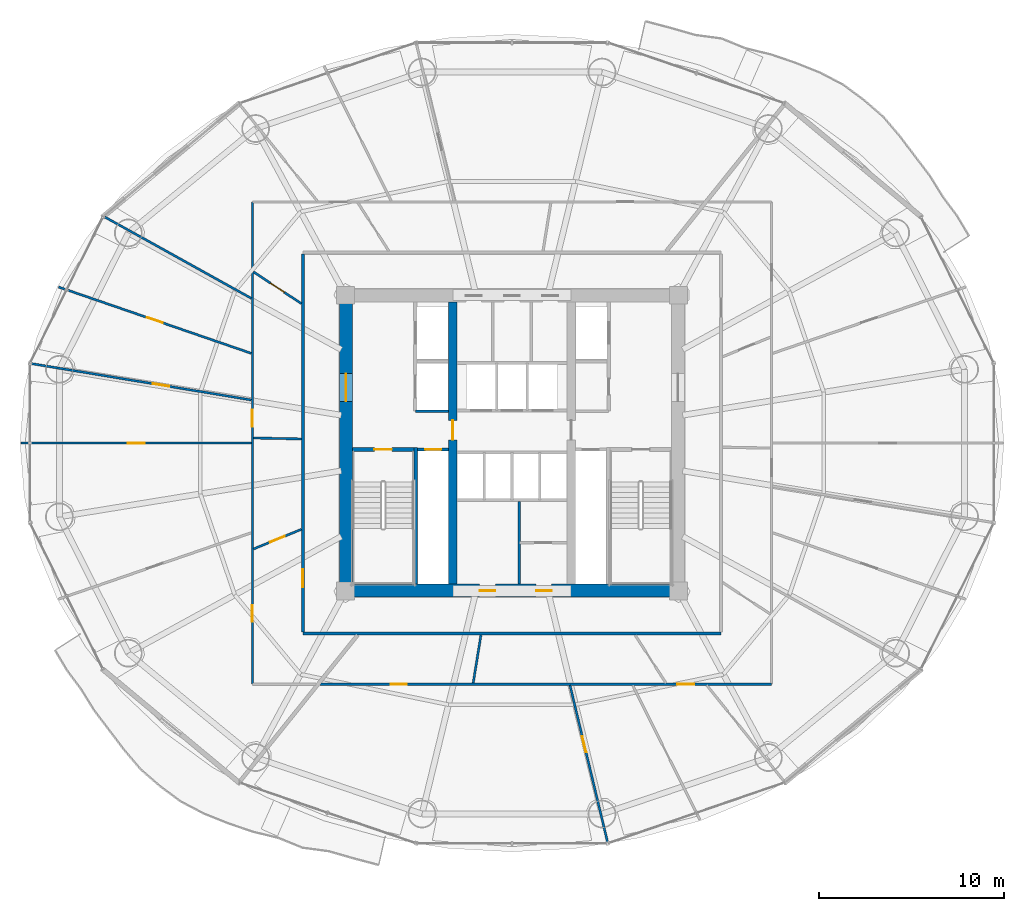
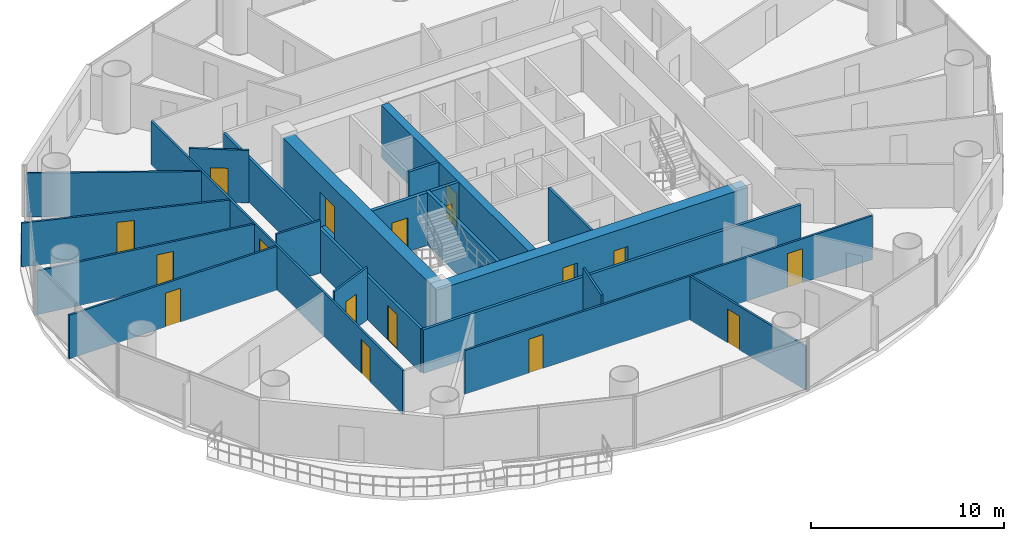
# One storey, part 22 of 29: 21 walls, 17 doors, 17 openings.
"""IFC4 building model written with IfcOpenShell, lengths in metres."""

from ifc_helpers import new_model, si_unit, direction, frame, frame_2d, origin, place, context, subcontext, project, spatial, rectangle, extrude, source, transform, mapped, material, layer, layer_set, type_object, element, fill, save


model = new_model("IFC4")

# Units and contexts
model_context = context("Model", 3, precision=1e-05, world=origin(), true_north=direction((-0.2419218956, 0.970295726276)))
body_context = subcontext(model_context, "Body", "Model", "MODEL_VIEW")
ifc_project = project(units=[si_unit("LENGTHUNIT", "METRE"), si_unit("AREAUNIT", "SQUARE_METRE"), si_unit("VOLUMEUNIT", "CUBIC_METRE"), si_unit("PLANEANGLEUNIT", "RADIAN"), si_unit("MASSUNIT", "GRAM", prefix="KILO")], contexts=[model_context])

# Site, building, storey
site_placement = place(None, origin())
site = spatial("IfcSite", under=ifc_project, at=site_placement, CompositionType="ELEMENT")
building_placement = place(site_placement, origin())
building = spatial("IfcBuilding", under=site, at=building_placement, Name="Cobrevalo Terracotta Tower", CompositionType="ELEMENT")
storey_placement = place(building_placement, frame((0.0, 0.0, 112.199951171875)))
storey = spatial("IfcBuildingStorey", under=building, at=storey_placement, Name="L29", CompositionType="ELEMENT", Elevation=112.199951171875)

# Wall, openings, doors
ifc_material_1 = material(Name="Concrete C60", Category="concrete")
ifc_layer_1 = layer(ifc_material_1, 0.699951171875)
ifc_layer_set_1 = layer_set([ifc_layer_1], Name="Concrete C60")
wall_type_1 = type_object("IfcWallType", Name="Core shear wall 700 mm Concrete C60", PredefinedType="SHEAR", material=ifc_layer_set_1)
wall_1_placement = place(storey_placement, frame((28.675048828125, 18.824951171875, 0.0), z_axis=(0.0, 0.0, 1.0), x_axis=(1.0, 0.0, 0.0)))
wall_1 = element("IfcWall", 1, at=wall_1_placement, inside=storey, type_object=wall_type_1, Name="L29 south core shear wall", PredefinedType="SHEAR", context=body_context, shape_type="SweptSolid", body=[
    extrude(rectangle(XDim=18.64990234375, YDim=0.699951171875, at=frame_2d((9.324951171875, 0.0))), origin(), (0.0, 0.0, 1.0), 3.324951171875),
])
opening_1_placement = place(wall_1_placement, frame((7.577392578125, 0.0, 0.0)))
opening_1 = element("IfcOpeningElement", 2, at=opening_1_placement, cuts=wall_1, Name="Opening ID-22", PredefinedType="OPENING", context=body_context, shape_type="SweptSolid", body=[
    extrude(rectangle(XDim=0.85009765625, YDim=2.10009765625, at=frame_2d((0.425048828125, 1.050048828125))), frame((0.0, 0.35986328125, 0.0), z_axis=(0.0, -1.0, 0.0), x_axis=(1.0, 0.0, 0.0)), (0.0, 0.0, 1.0), 0.719970703125),
])
opening_2_placement = place(wall_1_placement, frame((10.62255859375, 0.0, 0.0)))
opening_2 = element("IfcOpeningElement", 3, at=opening_2_placement, cuts=wall_1, Name="Opening ID-22", PredefinedType="OPENING", context=body_context, shape_type="SweptSolid", body=[
    extrude(rectangle(XDim=0.85009765625, YDim=2.10009765625, at=frame_2d((0.425048828125, 1.050048828125))), frame((0.0, 0.35986328125, 0.0), z_axis=(0.0, -1.0, 0.0), x_axis=(1.0, 0.0, 0.0)), (0.0, 0.0, 1.0), 0.719970703125),
])
ifc_material_2 = material(Name="Powder-coated steel", Category="steel")
door_type_1 = type_object("IfcDoorType", Name="Riser shaft & meter closet fire access door 850x2100 EI 60", OperationType="NOTDEFINED", PredefinedType="DOOR", material=ifc_material_2)
shared_shape_1 = source(origin(), body_context, "Body", "SweptSolid", [
    extrude(rectangle(XDim=0.85009765625, YDim=2.10009765625, at=frame_2d((0.425048828125, 1.050048828125))), frame((0.0, 0.02490234375, 0.0), z_axis=(0.0, -1.0, 0.0), x_axis=(1.0, 0.0, 0.0)), (0.0, 0.0, 1.0), 0.050048828125),
])
door_1_placement = place(opening_1_placement, origin())
door_1 = element("IfcDoor", 4, at=door_1_placement, inside=storey, type_object=door_type_1, Name="L29 core south plant door Floor AHU Mechanical Plant", OperationType="SINGLE_SWING_RIGHT", OverallHeight=2.10009765625, OverallWidth=0.85009765625, PredefinedType="DOOR", context=body_context, shape_type="MappedRepresentation", body=[
    mapped(shared_shape_1, transform((0.0, 0.0, 0.0), scale=1.0)),
])
fill(opening_1, door_1)
door_2_placement = place(opening_2_placement, origin())
door_2 = element("IfcDoor", 5, at=door_2_placement, inside=storey, type_object=door_type_1, Name="L29 core south plant door Sprinkler Valve Plant", OperationType="SINGLE_SWING_RIGHT", OverallHeight=2.10009765625, OverallWidth=0.85009765625, PredefinedType="DOOR", context=body_context, shape_type="MappedRepresentation", body=[
    mapped(shared_shape_1, transform((0.0, 0.0, 0.0), scale=1.0)),
])
fill(opening_2, door_2)

# Wall, opening, door
wall_2_placement = place(storey_placement, frame((29.02490234375, 19.175048828125, 0.0), z_axis=(0.0, 0.0, 1.0), x_axis=(0.0, 1.0, 0.0)))
wall_2 = element("IfcWall", 6, at=wall_2_placement, inside=storey, type_object=wall_type_1, Name="L29 west core shear wall", PredefinedType="SHEAR", context=body_context, shape_type="SweptSolid", body=[
    extrude(rectangle(XDim=15.25, YDim=0.699951171875, at=frame_2d((7.625, 0.0))), origin(), (0.0, 0.0, 1.0), 3.324951171875),
])
opening_3_placement = place(wall_2_placement, frame((9.875, 0.0, 0.0)))
opening_3 = element("IfcOpeningElement", 7, at=opening_3_placement, cuts=wall_2, Name="Opening ID-14", PredefinedType="OPENING", context=body_context, shape_type="SweptSolid", body=[
    extrude(rectangle(XDim=1.5, YDim=2.199951171875, at=frame_2d((0.75, 1.10009765625))), frame((0.0, 0.35986328125, 0.0), z_axis=(0.0, -1.0, 0.0), x_axis=(1.0, 0.0, 0.0)), (0.0, 0.0, 1.0), 0.719970703125),
])
ifc_material_3 = material(Name="Galvanized fire-rated steel", Category="steel")
door_type_2 = type_object("IfcDoorType", Name="Core cross-lobby double fire door 1500x2200 EI 90", OperationType="NOTDEFINED", PredefinedType="DOOR", material=ifc_material_3)
shared_shape_2 = source(origin(), body_context, "Body", "SweptSolid", [
    extrude(rectangle(XDim=1.5, YDim=2.199951171875, at=frame_2d((0.75, 1.10009765625))), frame((0.0, 0.02490234375, 0.0), z_axis=(0.0, -1.0, 0.0), x_axis=(1.0, 0.0, 0.0)), (0.0, 0.0, 1.0), 0.050048828125),
])
door_3_placement = place(opening_3_placement, origin())
door_3 = element("IfcDoor", 8, at=door_3_placement, inside=storey, type_object=door_type_2, Name="L29 west firefighting lobby entrance door", OperationType="DOUBLE_DOOR_SINGLE_SWING", OverallHeight=2.199951171875, OverallWidth=1.5, PredefinedType="DOOR", context=body_context, shape_type="MappedRepresentation", body=[
    mapped(shared_shape_2, transform((0.0, 0.0, 0.0), scale=1.0)),
])
fill(opening_3, door_3)

# Walls
ifc_material_4 = material(Name="Gypsum board on steel stud", Category="steel")
ifc_layer_2 = layer(ifc_material_4, 0.159912109375)
ifc_layer_set_2 = layer_set([ifc_layer_2], Name="Gypsum board on steel stud")
wall_type_2 = type_object("IfcWallType", Name="Fire-rated corridor acoustic partition wall 160 mm", PredefinedType="PARTITIONING", material=ifc_layer_set_2)
wall_3_placement = place(storey_placement, frame((32.77001953125, 28.52001953125, 0.0), z_axis=(0.0, 0.0, 1.0), x_axis=(1.0, 0.0, 0.0)))
element("IfcWall", 9, at=wall_3_placement, inside=storey, type_object=wall_type_2, Name="L29 interior partition IW-L29-FF1-S", PredefinedType="PARTITIONING", context=body_context, shape_type="SweptSolid", body=[
    extrude(rectangle(XDim=1.804931640625, YDim=0.159912109375, at=frame_2d((0.90234375, 0.0))), origin(), (0.0, 0.0, 1.0), 3.324951171875),
])
wall_4_placement = place(storey_placement, frame((26.695068359375, 16.4951171875, 0.0), z_axis=(0.0, 0.0, 1.0), x_axis=(1.0, 0.0, 0.0)))
element("IfcWall", 10, at=wall_4_placement, inside=storey, type_object=wall_type_2, Name="L29 interior partition IW-L29-COR-S", PredefinedType="PARTITIONING", context=body_context, shape_type="SweptSolid", body=[
    extrude(rectangle(XDim=22.60986328125, YDim=0.159912109375, at=frame_2d((11.304931640625, 0.0))), origin(), (0.0, 0.0, 1.0), 2.76708984375),
])

# Wall, opening, door
wall_5_placement = place(storey_placement, frame((26.695068359375, 16.574951171875, 0.0), z_axis=(0.0, 0.0, 1.0), x_axis=(0.0, 1.0, 0.0)))
wall_5 = element("IfcWall", 11, at=wall_5_placement, inside=storey, type_object=wall_type_2, Name="L29 interior partition IW-L29-COR-W", PredefinedType="PARTITIONING", context=body_context, shape_type="SweptSolid", body=[
    extrude(rectangle(XDim=20.449951171875, YDim=0.159912109375, at=frame_2d((10.22509765625, 0.0))), origin(), (0.0, 0.0, 1.0), 2.76708984375),
])
opening_4_placement = place(wall_5_placement, frame((2.42431640625, 0.0, 0.0)))
opening_4 = element("IfcOpeningElement", 12, at=opening_4_placement, cuts=wall_5, Name="Opening ID-05", PredefinedType="OPENING", context=body_context, shape_type="SweptSolid", body=[
    extrude(rectangle(XDim=0.97998046875, YDim=2.199951171875, at=frame_2d((0.489990234375, 1.10009765625))), frame((0.0, 0.08984375, 0.0), z_axis=(0.0, -1.0, 0.0), x_axis=(1.0, 0.0, 0.0)), (0.0, 0.0, 1.0), 0.179931640625),
])
ifc_material_5 = material(Name="Solid hardwood timber", Category="wood")
door_type_3 = type_object("IfcDoorType", Name="Residence entrance fire-rated acoustic timber door 980x2200 EI 60", OperationType="NOTDEFINED", PredefinedType="DOOR", material=ifc_material_5)
shared_shape_3 = source(origin(), body_context, "Body", "SweptSolid", [
    extrude(rectangle(XDim=0.97998046875, YDim=2.199951171875, at=frame_2d((0.489990234375, 1.10009765625))), frame((0.0, 0.02490234375, 0.0), z_axis=(0.0, -1.0, 0.0), x_axis=(1.0, 0.0, 0.0)), (0.0, 0.0, 1.0), 0.050048828125),
])
door_4_placement = place(opening_4_placement, origin())
door_4 = element("IfcDoor", 13, at=door_4_placement, inside=storey, type_object=door_type_3, Name="Flat L29A fire-rated apartment entrance door", OperationType="SINGLE_SWING_LEFT", OverallHeight=2.199951171875, OverallWidth=0.97998046875, PredefinedType="DOOR", context=body_context, shape_type="MappedRepresentation", body=[
    mapped(shared_shape_3, transform((0.0, 0.0, 0.0), scale=1.0)),
])
fill(opening_4, door_4)

ifc_layer_3 = layer(ifc_material_4, 0.179931640625)
ifc_layer_set_3 = layer_set([ifc_layer_3], Name="Gypsum board on steel stud")
wall_type_3 = type_object("IfcWallType", Name="Fire-rated shaft & lobby acoustic partition wall 180 mm", PredefinedType="PARTITIONING", material=ifc_layer_set_3)
wall_6_placement = place(storey_placement, frame((32.89990234375, 26.449951171875, 0.0), z_axis=(0.0, 0.0, 1.0), x_axis=(1.0, 0.0, 0.0)))
wall_6 = element("IfcWall", 14, at=wall_6_placement, inside=storey, type_object=wall_type_3, Name="L29 interior partition IW-L29-RSW-N", PredefinedType="PARTITIONING", context=body_context, shape_type="SweptSolid", body=[
    extrude(rectangle(XDim=1.675048828125, YDim=0.179931640625, at=frame_2d((0.83740234375, 0.0))), origin(), (0.0, 0.0, 1.0), 3.324951171875),
])
opening_5_placement = place(wall_6_placement, frame((0.41259765625, 0.0, 0.0)))
opening_5 = element("IfcOpeningElement", 15, at=opening_5_placement, cuts=wall_6, Name="Opening ID-22", PredefinedType="OPENING", context=body_context, shape_type="SweptSolid", body=[
    extrude(rectangle(XDim=0.85009765625, YDim=2.10009765625, at=frame_2d((0.425048828125, 1.050048828125))), frame((0.0, 0.10009765625, 0.0), z_axis=(0.0, -1.0, 0.0), x_axis=(1.0, 0.0, 0.0)), (0.0, 0.0, 1.0), 0.199951171875),
])
door_5_placement = place(opening_5_placement, origin())
door_5 = element("IfcDoor", 16, at=door_5_placement, inside=storey, type_object=door_type_1, Name="L29 riser access door RSW", OperationType="SINGLE_SWING_LEFT", OverallHeight=2.10009765625, OverallWidth=0.85009765625, PredefinedType="DOOR", context=body_context, shape_type="MappedRepresentation", body=[
    mapped(shared_shape_1, transform((0.0, 0.0, 0.0), scale=1.0)),
])
fill(opening_5, door_5)

ifc_material_6 = material(Name="Concrete C55", Category="concrete")
ifc_layer_4 = layer(ifc_material_6, 0.449951171875)
ifc_layer_set_4 = layer_set([ifc_layer_4], Name="Concrete C55")
wall_type_4 = type_object("IfcWallType", Name="Internal core shear web wall 450 mm Concrete C55", PredefinedType="SHEAR", material=ifc_layer_set_4)
wall_7_placement = place(storey_placement, frame((34.800048828125, 19.175048828125, 0.0), z_axis=(0.0, 0.0, 1.0), x_axis=(0.0, 1.0, 0.0)))
wall_7 = element("IfcWall", 17, at=wall_7_placement, inside=storey, type_object=wall_type_4, Name="L29 internal core shear wall WEB-W", PredefinedType="SHEAR", context=body_context, shape_type="SweptSolid", body=[
    extrude(rectangle(XDim=15.25, YDim=0.449951171875, at=frame_2d((7.625, 0.0))), origin(), (0.0, 0.0, 1.0), 3.324951171875),
])
opening_6_placement = place(wall_7_placement, frame((7.800048828125, 0.0, 0.0)))
opening_6 = element("IfcOpeningElement", 18, at=opening_6_placement, cuts=wall_7, Name="Opening ID-11", PredefinedType="OPENING", context=body_context, shape_type="SweptSolid", body=[
    extrude(rectangle(XDim=1.050048828125, YDim=2.14990234375, at=frame_2d((0.52490234375, 1.074951171875))), frame((0.0, 0.23486328125, 0.0), z_axis=(0.0, -1.0, 0.0), x_axis=(1.0, 0.0, 0.0)), (0.0, 0.0, 1.0), 0.469970703125),
])
door_type_4 = type_object("IfcDoorType", Name="Core concourse cross fire door 1050x2150 EI 90", OperationType="NOTDEFINED", PredefinedType="DOOR", material=ifc_material_3)
shared_shape_4 = source(origin(), body_context, "Body", "SweptSolid", [
    extrude(rectangle(XDim=1.050048828125, YDim=2.14990234375, at=frame_2d((0.52490234375, 1.074951171875))), frame((0.0, 0.02490234375, 0.0), z_axis=(0.0, -1.0, 0.0), x_axis=(1.0, 0.0, 0.0)), (0.0, 0.0, 1.0), 0.050048828125),
])
door_6_placement = place(opening_6_placement, origin())
door_6 = element("IfcDoor", 19, at=door_6_placement, inside=storey, type_object=door_type_4, Name="L29 west core concourse cross door", OperationType="SINGLE_SWING_LEFT", OverallHeight=2.14990234375, OverallWidth=1.050048828125, PredefinedType="DOOR", context=body_context, shape_type="MappedRepresentation", body=[
    mapped(shared_shape_4, transform((0.0, 0.0, 0.0), scale=1.0)),
])
fill(opening_6, door_6)

# Wall
ifc_material_7 = material(Name="Autoclaved aerated concrete block", Category="concrete")
ifc_layer_5 = layer(ifc_material_7, 0.139892578125)
ifc_layer_set_5 = layer_set([ifc_layer_5], Name="Autoclaved aerated concrete block")
wall_type_5 = type_object("IfcWallType", Name="Moisture-resistant wet-room & core service partition 140 mm", PredefinedType="PARTITIONING", material=ifc_layer_set_5)
wall_8_placement = place(storey_placement, frame((38.39990234375, 19.175048828125, 0.0), z_axis=(0.0, 0.0, 1.0), x_axis=(0.0, 1.0, 0.0)))
element("IfcWall", 20, at=wall_8_placement, inside=storey, type_object=wall_type_5, Name="L29 interior partition IW-L29-KVS-L1", PredefinedType="PARTITIONING", context=body_context, shape_type="SweptSolid", body=[
    extrude(rectangle(XDim=4.46484375, YDim=0.139892578125, at=frame_2d((2.232421875, 0.0))), origin(), (0.0, 0.0, 1.0), 3.324951171875),
])

# Wall, openings, doors
ifc_layer_6 = layer(ifc_material_4, 0.1201171875)
ifc_layer_set_6 = layer_set([ifc_layer_6], Name="Gypsum board on steel stud")
wall_type_6 = type_object("IfcWallType", Name="Residential internal acoustic stud partition 120 mm", PredefinedType="PARTITIONING", material=ifc_layer_set_6)
wall_9_placement = place(storey_placement, frame((23.965087890625, 13.764892578125, 0.0), z_axis=(0.0, 0.0, 1.0), x_axis=(0.0, 1.0, 0.0)))
wall_9 = element("IfcWall", 21, at=wall_9_placement, inside=storey, type_object=wall_type_6, Name="L29 interior partition IW-L29-U1-RING1_0", PredefinedType="PARTITIONING", context=body_context, shape_type="SweptSolid", body=[
    extrude(rectangle(XDim=26.070068359375, YDim=0.1201171875, at=frame_2d((13.03515625, 0.0))), origin(), (0.0, 0.0, 1.0), 2.76708984375),
])
opening_7_placement = place(wall_9_placement, frame((3.362060546875, 0.0, 0.0)))
opening_7 = element("IfcOpeningElement", 22, at=opening_7_placement, cuts=wall_9, Name="Opening ID-12", PredefinedType="OPENING", context=body_context, shape_type="SweptSolid", body=[
    extrude(rectangle(XDim=0.89990234375, YDim=2.14990234375, at=frame_2d((0.449951171875, 1.074951171875))), frame((0.0, 0.070068359375, 0.0), z_axis=(0.0, -1.0, 0.0), x_axis=(1.0, 0.0, 0.0)), (0.0, 0.0, 1.0), 0.14013671875),
])
opening_8_placement = place(wall_9_placement, frame((13.923583984375, 0.0, 0.0)))
opening_8 = element("IfcOpeningElement", 23, at=opening_8_placement, cuts=wall_9, Name="Opening ID-12", PredefinedType="OPENING", context=body_context, shape_type="SweptSolid", body=[
    extrude(rectangle(XDim=0.89990234375, YDim=2.14990234375, at=frame_2d((0.449951171875, 1.074951171875))), frame((0.0, 0.070068359375, 0.0), z_axis=(0.0, -1.0, 0.0), x_axis=(1.0, 0.0, 0.0)), (0.0, 0.0, 1.0), 0.14013671875),
])
ifc_material_8 = material(Name="Engineered timber", Category="wood")
door_type_5 = type_object("IfcDoorType", Name="Internal residence & suite timber door 900x2150", OperationType="NOTDEFINED", PredefinedType="DOOR", material=ifc_material_8)
shared_shape_5 = source(origin(), body_context, "Body", "SweptSolid", [
    extrude(rectangle(XDim=0.89990234375, YDim=2.14990234375, at=frame_2d((0.449951171875, 1.074951171875))), frame((0.0, 0.02490234375, 0.0), z_axis=(0.0, -1.0, 0.0), x_axis=(1.0, 0.0, 0.0)), (0.0, 0.0, 1.0), 0.050048828125),
])
door_7_placement = place(opening_7_placement, origin())
door_7 = element("IfcDoor", 24, at=door_7_placement, inside=storey, type_object=door_type_5, Name="Flat L29A Private Cinema Room internal door", OperationType="SINGLE_SWING_LEFT", OverallHeight=2.14990234375, OverallWidth=0.89990234375, PredefinedType="DOOR", context=body_context, shape_type="MappedRepresentation", body=[
    mapped(shared_shape_5, transform((0.0, 0.0, 0.0), scale=1.0)),
])
fill(opening_7, door_7)
door_8_placement = place(opening_8_placement, frame((0.89990234375, 0.0, 0.0), z_axis=(0.0, 0.0, 1.0), x_axis=(-1.0, 0.0, 0.0)))
door_8 = element("IfcDoor", 25, at=door_8_placement, inside=storey, type_object=door_type_5, Name="Flat L29A Kitchen internal door", OperationType="SINGLE_SWING_RIGHT", OverallHeight=2.14990234375, OverallWidth=0.89990234375, PredefinedType="DOOR", context=body_context, shape_type="MappedRepresentation", body=[
    mapped(shared_shape_5, transform((0.0, 0.0, 0.0), scale=1.0)),
])
fill(opening_8, door_8)

# Wall
wall_10_placement = place(storey_placement, frame((23.910888671875, 34.62158203125, 0.0), z_axis=(0.0, 0.0, 1.0), x_axis=(-0.874324904351, 0.485341077626, 0.0)))
element("IfcWall", 26, at=wall_10_placement, inside=storey, type_object=wall_type_6, Name="L29 interior partition IW-L29-U1-ORAD3", PredefinedType="PARTITIONING", context=body_context, shape_type="SweptSolid", body=[
    extrude(rectangle(XDim=9.065673828125, YDim=0.1201171875, at=frame_2d((4.53271484375, 0.0))), origin(), (0.0, 0.0, 1.0), 2.76708984375),
])

# Wall, opening, door
wall_11_placement = place(storey_placement, frame((23.90625, 31.650146484375, 0.0), z_axis=(0.0, 0.0, 1.0), x_axis=(-0.945573120726, 0.32540970078, 0.0)))
wall_11 = element("IfcWall", 27, at=wall_11_placement, inside=storey, type_object=wall_type_6, Name="L29 interior partition IW-L29-U1-ORAD4M1", PredefinedType="PARTITIONING", context=body_context, shape_type="SweptSolid", body=[
    extrude(rectangle(XDim=11.02197265625, YDim=0.1201171875, at=frame_2d((5.510986328125, 0.0))), origin(), (0.0, 0.0, 1.0), 2.76708984375),
])
opening_9_placement = place(wall_11_placement, frame((5.06103515625, 0.0, 0.0)))
opening_9 = element("IfcOpeningElement", 28, at=opening_9_placement, cuts=wall_11, Name="Opening ID-12", PredefinedType="OPENING", context=body_context, shape_type="SweptSolid", body=[
    extrude(rectangle(XDim=0.89990234375, YDim=2.14990234375, at=frame_2d((0.449951171875, 1.074951171875))), frame((0.0, 0.070068359375, 0.0), z_axis=(0.0, -1.0, 0.0), x_axis=(1.0, 0.0, 0.0)), (0.0, 0.0, 1.0), 0.14013671875),
])
door_9_placement = place(opening_9_placement, frame((0.89990234375, 0.0, 0.0), z_axis=(0.0, 0.0, 1.0), x_axis=(-1.0, 0.0, 0.0)))
door_9 = element("IfcDoor", 29, at=door_9_placement, inside=storey, type_object=door_type_5, Name="Flat L29A South Bedroom internal door", OperationType="SINGLE_SWING_LEFT", OverallHeight=2.14990234375, OverallWidth=0.89990234375, PredefinedType="DOOR", context=body_context, shape_type="MappedRepresentation", body=[
    mapped(shared_shape_5, transform((0.0, 0.0, 0.0), scale=1.0)),
])
fill(opening_9, door_9)

wall_12_placement = place(storey_placement, frame((23.90380859375, 29.129638671875, 0.0), z_axis=(0.0, 0.0, 1.0), x_axis=(-0.986618264768, 0.163047231274, 0.0)))
wall_12 = element("IfcWall", 30, at=wall_12_placement, inside=storey, type_object=wall_type_6, Name="L29 interior partition IW-L29-U1-ORAD4M2", PredefinedType="PARTITIONING", context=body_context, shape_type="SweptSolid", body=[
    extrude(rectangle(XDim=12.038818359375, YDim=0.1201171875, at=frame_2d((6.01953125, 0.0))), origin(), (0.0, 0.0, 1.0), 2.76708984375),
])
opening_10_placement = place(wall_12_placement, frame((4.496337890625, 0.0, 0.0)))
opening_10 = element("IfcOpeningElement", 31, at=opening_10_placement, cuts=wall_12, Name="Opening ID-12", PredefinedType="OPENING", context=body_context, shape_type="SweptSolid", body=[
    extrude(rectangle(XDim=0.89990234375, YDim=2.14990234375, at=frame_2d((0.449951171875, 1.074951171875))), frame((0.0, 0.070068359375, 0.0), z_axis=(0.0, -1.0, 0.0), x_axis=(1.0, 0.0, 0.0)), (0.0, 0.0, 1.0), 0.14013671875),
])
door_10_placement = place(opening_10_placement, frame((0.89990234375, 0.0, 0.0), z_axis=(0.0, 0.0, 1.0), x_axis=(-1.0, 0.0, 0.0)))
door_10 = element("IfcDoor", 32, at=door_10_placement, inside=storey, type_object=door_type_5, Name="Flat L29A Penthouse Family Lounge internal door", OperationType="SINGLE_SWING_LEFT", OverallHeight=2.14990234375, OverallWidth=0.89990234375, PredefinedType="DOOR", context=body_context, shape_type="MappedRepresentation", body=[
    mapped(shared_shape_5, transform((0.0, 0.0, 0.0), scale=1.0)),
])
fill(opening_10, door_10)

wall_13_placement = place(storey_placement, frame((23.903076171875, 26.800048828125, 0.0), z_axis=(0.0, 0.0, 1.0), x_axis=(-1.0, 0.0, 0.0)))
wall_13 = element("IfcWall", 33, at=wall_13_placement, inside=storey, type_object=wall_type_6, Name="L29 interior partition IW-L29-U1-ORAD4", PredefinedType="PARTITIONING", context=body_context, shape_type="SweptSolid", body=[
    extrude(rectangle(XDim=12.443115234375, YDim=0.1201171875, at=frame_2d((6.2216796875, 0.0))), origin(), (0.0, 0.0, 1.0), 2.76708984375),
])
opening_11_placement = place(wall_13_placement, frame((5.771484375, 0.0, 0.0)))
opening_11 = element("IfcOpeningElement", 34, at=opening_11_placement, cuts=wall_13, Name="Opening ID-12", PredefinedType="OPENING", context=body_context, shape_type="SweptSolid", body=[
    extrude(rectangle(XDim=0.89990234375, YDim=2.14990234375, at=frame_2d((0.449951171875, 1.074951171875))), frame((0.0, 0.070068359375, 0.0), z_axis=(0.0, -1.0, 0.0), x_axis=(1.0, 0.0, 0.0)), (0.0, 0.0, 1.0), 0.14013671875),
])
door_11_placement = place(opening_11_placement, frame((0.89990234375, 0.0, 0.0), z_axis=(0.0, 0.0, 1.0), x_axis=(-1.0, 0.0, 0.0)))
door_11 = element("IfcDoor", 35, at=door_11_placement, inside=storey, type_object=door_type_5, Name="Flat L29A Penthouse Family Lounge internal door", OperationType="SINGLE_SWING_LEFT", OverallHeight=2.14990234375, OverallWidth=0.89990234375, PredefinedType="DOOR", context=body_context, shape_type="MappedRepresentation", body=[
    mapped(shared_shape_5, transform((0.0, 0.0, 0.0), scale=1.0)),
])
fill(opening_11, door_11)

wall_14_placement = place(storey_placement, frame((26.614990234375, 34.33740234375, 0.0), z_axis=(0.0, 0.0, 1.0), x_axis=(-0.833829855758, 0.552021531868, 0.0)))
wall_14 = element("IfcWall", 36, at=wall_14_placement, inside=storey, type_object=wall_type_6, Name="L29 interior partition IW-L29-U1-IRAD3", PredefinedType="PARTITIONING", context=body_context, shape_type="SweptSolid", body=[
    extrude(rectangle(XDim=3.1162109375, YDim=0.1201171875, at=frame_2d((1.55810546875, 0.0))), origin(), (0.0, 0.0, 1.0), 3.324951171875),
])
opening_12_placement = place(wall_14_placement, frame((1.108154296875, 0.0, 0.0)))
opening_12 = element("IfcOpeningElement", 37, at=opening_12_placement, cuts=wall_14, Name="Opening ID-12", PredefinedType="OPENING", context=body_context, shape_type="SweptSolid", body=[
    extrude(rectangle(XDim=0.89990234375, YDim=2.14990234375, at=frame_2d((0.449951171875, 1.074951171875))), frame((0.0, 0.070068359375, 0.0), z_axis=(0.0, -1.0, 0.0), x_axis=(1.0, 0.0, 0.0)), (0.0, 0.0, 1.0), 0.14013671875),
])
door_12_placement = place(opening_12_placement, frame((0.89990234375, 0.0, 0.0), z_axis=(0.0, 0.0, 1.0), x_axis=(-1.0, 0.0, 0.0)))
door_12 = element("IfcDoor", 38, at=door_12_placement, inside=storey, type_object=door_type_5, Name="Flat L29A Private Wellness Room internal door", OperationType="SINGLE_SWING_RIGHT", OverallHeight=2.14990234375, OverallWidth=0.89990234375, PredefinedType="DOOR", context=body_context, shape_type="MappedRepresentation", body=[
    mapped(shared_shape_5, transform((0.0, 0.0, 0.0), scale=1.0)),
])
fill(opening_12, door_12)

# Wall
wall_15_placement = place(storey_placement, frame((26.614990234375, 27.02294921875, 0.0), z_axis=(0.0, 0.0, 1.0), x_axis=(-0.999809377232, 0.019524579348, 0.0)))
element("IfcWall", 39, at=wall_15_placement, inside=storey, type_object=wall_type_6, Name="L29 interior partition IW-L29-U1-IRAD4", PredefinedType="PARTITIONING", context=body_context, shape_type="SweptSolid", body=[
    extrude(rectangle(XDim=2.58837890625, YDim=0.1201171875, at=frame_2d((1.294189453125, 0.0))), origin(), (0.0, 0.0, 1.0), 3.324951171875),
])

# Wall, opening, door
wall_16_placement = place(storey_placement, frame((26.614990234375, 22.13525390625, 0.0), z_axis=(0.0, 0.0, 1.0), x_axis=(-0.925337216259, -0.379145138708, 0.0)))
wall_16 = element("IfcWall", 40, at=wall_16_placement, inside=storey, type_object=wall_type_6, Name="L29 interior partition IW-L29-U1-IRAD5", PredefinedType="PARTITIONING", context=body_context, shape_type="SweptSolid", body=[
    extrude(rectangle(XDim=2.8017578125, YDim=0.1201171875, at=frame_2d((1.40087890625, 0.0))), origin(), (0.0, 0.0, 1.0), 3.324951171875),
])
opening_13_placement = place(wall_16_placement, frame((0.970947265625, 0.0, 0.0)))
opening_13 = element("IfcOpeningElement", 41, at=opening_13_placement, cuts=wall_16, Name="Opening ID-19", PredefinedType="OPENING", context=body_context, shape_type="SweptSolid", body=[
    extrude(rectangle(XDim=0.860107421875, YDim=2.14990234375, at=frame_2d((0.43017578125, 1.074951171875))), frame((0.0, 0.070068359375, 0.0), z_axis=(0.0, -1.0, 0.0), x_axis=(1.0, 0.0, 0.0)), (0.0, 0.0, 1.0), 0.14013671875),
])
ifc_material_9 = material(Name="Moisture-sealed timber", Category="wood")
door_type_6 = type_object("IfcDoorType", Name="Suite bathroom internal timber door 860x2150", OperationType="NOTDEFINED", PredefinedType="DOOR", material=ifc_material_9)
shared_shape_6 = source(origin(), body_context, "Body", "SweptSolid", [
    extrude(rectangle(XDim=0.860107421875, YDim=2.14990234375, at=frame_2d((0.43017578125, 1.074951171875))), frame((0.0, 0.02490234375, 0.0), z_axis=(0.0, -1.0, 0.0), x_axis=(1.0, 0.0, 0.0)), (0.0, 0.0, 1.0), 0.050048828125),
])
door_13_placement = place(opening_13_placement, frame((0.860107421875, 0.0, 0.0), z_axis=(0.0, 0.0, 1.0), x_axis=(-1.0, 0.0, 0.0)))
door_13 = element("IfcDoor", 42, at=door_13_placement, inside=storey, type_object=door_type_6, Name="Flat L29A Primary Bathroom internal door", OperationType="SINGLE_SWING_RIGHT", OverallHeight=2.14990234375, OverallWidth=0.860107421875, PredefinedType="DOOR", context=body_context, shape_type="MappedRepresentation", body=[
    mapped(shared_shape_6, transform((0.0, 0.0, 0.0), scale=1.0)),
])
fill(opening_13, door_13)

# Wall, openings, doors
wall_17_placement = place(storey_placement, frame((52.034912109375, 13.764892578125, 0.0), z_axis=(0.0, 0.0, 1.0), x_axis=(-1.0, 0.0, 0.0)))
wall_17 = element("IfcWall", 43, at=wall_17_placement, inside=storey, type_object=wall_type_6, Name="L29 interior partition IW-L29-U2-RING2_0", PredefinedType="PARTITIONING", context=body_context, shape_type="SweptSolid", body=[
    extrude(rectangle(XDim=24.416015625, YDim=0.1201171875, at=frame_2d((12.2080078125, 0.0))), origin(), (0.0, 0.0, 1.0), 2.76708984375),
])
opening_14_placement = place(wall_17_placement, frame((4.192138671875, 0.0, 0.0)))
opening_14 = element("IfcOpeningElement", 44, at=opening_14_placement, cuts=wall_17, Name="Opening ID-12", PredefinedType="OPENING", context=body_context, shape_type="SweptSolid", body=[
    extrude(rectangle(XDim=0.89990234375, YDim=2.14990234375, at=frame_2d((0.449951171875, 1.074951171875))), frame((0.0, 0.070068359375, 0.0), z_axis=(0.0, -1.0, 0.0), x_axis=(1.0, 0.0, 0.0)), (0.0, 0.0, 1.0), 0.14013671875),
])
opening_15_placement = place(wall_17_placement, frame((19.727783203125, 0.0, 0.0)))
opening_15 = element("IfcOpeningElement", 45, at=opening_15_placement, cuts=wall_17, Name="Opening ID-19", PredefinedType="OPENING", context=body_context, shape_type="SweptSolid", body=[
    extrude(rectangle(XDim=0.860107421875, YDim=2.14990234375, at=frame_2d((0.43017578125, 1.074951171875))), frame((0.0, 0.070068359375, 0.0), z_axis=(0.0, -1.0, 0.0), x_axis=(1.0, 0.0, 0.0)), (0.0, 0.0, 1.0), 0.14013671875),
])
door_14_placement = place(opening_15_placement, frame((0.860107421875, 0.0, 0.0), z_axis=(0.0, 0.0, 1.0), x_axis=(-1.0, 0.0, 0.0)))
door_14 = element("IfcDoor", 46, at=door_14_placement, inside=storey, type_object=door_type_6, Name="Flat L29B Guest Bathroom internal door", OperationType="SINGLE_SWING_RIGHT", OverallHeight=2.14990234375, OverallWidth=0.860107421875, PredefinedType="DOOR", context=body_context, shape_type="MappedRepresentation", body=[
    mapped(shared_shape_6, transform((0.0, 0.0, 0.0), scale=1.0)),
])
fill(opening_15, door_14)
door_15_placement = place(opening_14_placement, origin())
door_15 = element("IfcDoor", 47, at=door_15_placement, inside=storey, type_object=door_type_5, Name="Flat L29B Principal Guest Bedroom internal door", OperationType="SINGLE_SWING_RIGHT", OverallHeight=2.14990234375, OverallWidth=0.89990234375, PredefinedType="DOOR", context=body_context, shape_type="MappedRepresentation", body=[
    mapped(shared_shape_5, transform((0.0, 0.0, 0.0), scale=1.0)),
])
fill(opening_14, door_15)

# Wall, opening, door
wall_18_placement = place(storey_placement, frame((41.13525390625, 13.70458984375, 0.0), z_axis=(0.0, 0.0, 1.0), x_axis=(0.23282725047, -0.97251810854, 0.0)))
wall_18 = element("IfcWall", 48, at=wall_18_placement, inside=storey, type_object=wall_type_6, Name="L29 interior partition IW-L29-U2-ORAD1", PredefinedType="PARTITIONING", context=body_context, shape_type="SweptSolid", body=[
    extrude(rectangle(XDim=8.71484375, YDim=0.1201171875, at=frame_2d((4.357421875, 0.0))), origin(), (0.0, 0.0, 1.0), 2.76708984375),
])
opening_16_placement = place(wall_18_placement, frame((2.83056640625, 0.0, 0.0)))
opening_16 = element("IfcOpeningElement", 49, at=opening_16_placement, cuts=wall_18, Name="Opening ID-12", PredefinedType="OPENING", context=body_context, shape_type="SweptSolid", body=[
    extrude(rectangle(XDim=0.89990234375, YDim=2.14990234375, at=frame_2d((0.449951171875, 1.074951171875))), frame((0.0, 0.070068359375, 0.0), z_axis=(0.0, -1.0, 0.0), x_axis=(1.0, 0.0, 0.0)), (0.0, 0.0, 1.0), 0.14013671875),
])
door_16_placement = place(opening_16_placement, frame((0.89990234375, 0.0, 0.0), z_axis=(0.0, 0.0, 1.0), x_axis=(-1.0, 0.0, 0.0)))
door_16 = element("IfcDoor", 50, at=door_16_placement, inside=storey, type_object=door_type_5, Name="Flat L29B Penthouse Living and Dining Room internal door", OperationType="SINGLE_SWING_LEFT", OverallHeight=2.14990234375, OverallWidth=0.89990234375, PredefinedType="DOOR", context=body_context, shape_type="MappedRepresentation", body=[
    mapped(shared_shape_5, transform((0.0, 0.0, 0.0), scale=1.0)),
])
fill(opening_16, door_16)

# Walls
wall_19_placement = place(storey_placement, frame((36.321044921875, 16.4150390625, 0.0), z_axis=(0.0, 0.0, 1.0), x_axis=(-0.159566101486, -0.9871872463, 0.0)))
element("IfcWall", 51, at=wall_19_placement, inside=storey, type_object=wall_type_6, Name="L29 interior partition IW-L29-U2-IRAD1", PredefinedType="PARTITIONING", context=body_context, shape_type="SweptSolid", body=[
    extrude(rectangle(XDim=2.62255859375, YDim=0.1201171875, at=frame_2d((1.311279296875, 0.0))), origin(), (0.0, 0.0, 1.0), 3.324951171875),
])
ifc_material_10 = material(Name="Concrete C50", Category="concrete")
ifc_layer_7 = layer(ifc_material_10, 0.199951171875)
ifc_layer_set_7 = layer_set([ifc_layer_7], Name="Concrete C50")
wall_type_7 = type_object("IfcWallType", Name="Structural core & podium stair-shaft RC wall 200 mm Concrete C50", PredefinedType="SOLIDWALL", material=ifc_layer_set_7)
wall_20_placement = place(storey_placement, frame((32.794921875, 19.175048828125, 0.0), z_axis=(0.0, 0.0, 1.0), x_axis=(0.0, 1.0, 0.0)))
element("IfcWall", 52, at=wall_20_placement, inside=storey, type_object=wall_type_7, Name="L29 ST-1 east structural shaft wall", PredefinedType="SOLIDWALL", context=body_context, shape_type="SweptSolid", body=[
    extrude(rectangle(XDim=7.375, YDim=0.199951171875, at=frame_2d((3.6875, 0.0))), origin(), (0.0, 0.0, 1.0), 3.324951171875),
])

# Wall, opening, door
wall_21_placement = place(storey_placement, frame((29.375, 26.449951171875, 0.0), z_axis=(0.0, 0.0, 1.0), x_axis=(1.0, 0.0, 0.0)))
wall_21 = element("IfcWall", 53, at=wall_21_placement, inside=storey, type_object=wall_type_7, Name="L29 ST-1 north structural shaft wall", PredefinedType="SOLIDWALL", context=body_context, shape_type="SweptSolid", body=[
    extrude(rectangle(XDim=3.320068359375, YDim=0.199951171875, at=frame_2d((1.66015625, 0.0))), origin(), (0.0, 0.0, 1.0), 3.324951171875),
])
opening_17_placement = place(wall_21_placement, frame((1.18505859375, 0.0, 0.0)))
opening_17 = element("IfcOpeningElement", 54, at=opening_17_placement, cuts=wall_21, Name="Opening ID-04", PredefinedType="OPENING", context=body_context, shape_type="SweptSolid", body=[
    extrude(rectangle(XDim=0.949951171875, YDim=2.14990234375, at=frame_2d((0.47509765625, 1.074951171875))), frame((0.0, 0.10986328125, 0.0), z_axis=(0.0, -1.0, 0.0), x_axis=(1.0, 0.0, 0.0)), (0.0, 0.0, 1.0), 0.219970703125),
])
door_type_7 = type_object("IfcDoorType", Name="Stair & firefighting lobby fire door 950x2150 EI 90", OperationType="NOTDEFINED", PredefinedType="DOOR", material=ifc_material_3)
shared_shape_7 = source(origin(), body_context, "Body", "SweptSolid", [
    extrude(rectangle(XDim=0.949951171875, YDim=2.14990234375, at=frame_2d((0.47509765625, 1.074951171875))), frame((0.0, 0.02490234375, 0.0), z_axis=(0.0, -1.0, 0.0), x_axis=(1.0, 0.0, 0.0)), (0.0, 0.0, 1.0), 0.050048828125),
])
door_17_placement = place(opening_17_placement, origin())
door_17 = element("IfcDoor", 55, at=door_17_placement, inside=storey, type_object=door_type_7, Name="L29 protected stair ST1 fire door", OperationType="SINGLE_SWING_LEFT", OverallHeight=2.14990234375, OverallWidth=0.949951171875, PredefinedType="DOOR", context=body_context, shape_type="MappedRepresentation", body=[
    mapped(shared_shape_7, transform((0.0, 0.0, 0.0), scale=1.0)),
])
fill(opening_17, door_17)

save(model, "model.ifc")
